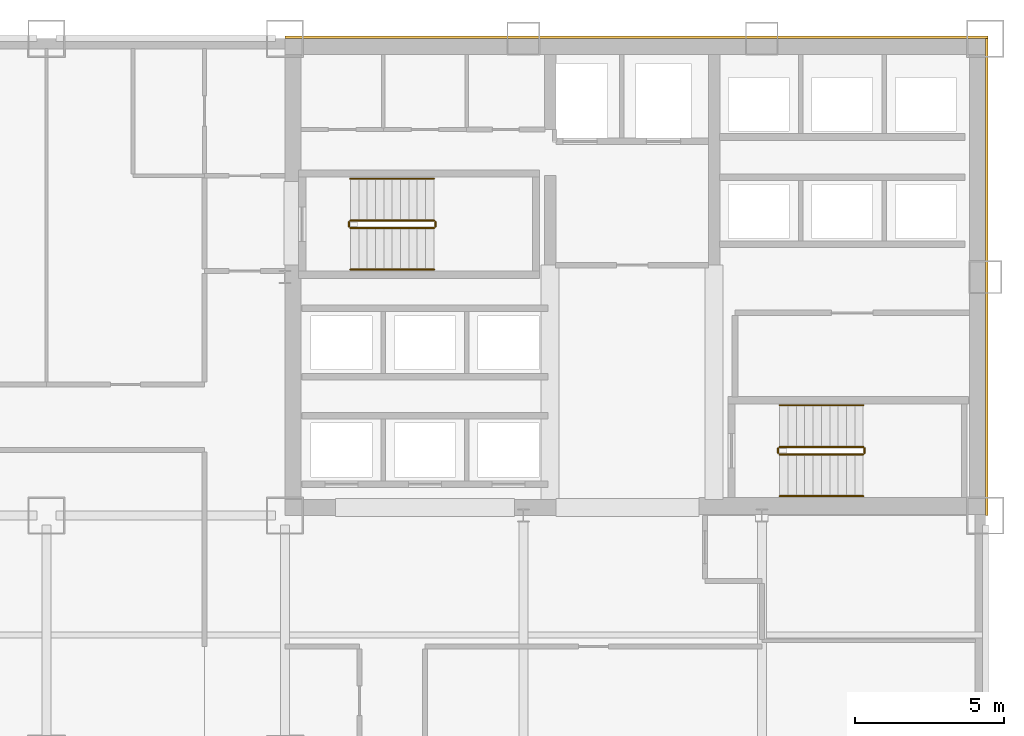
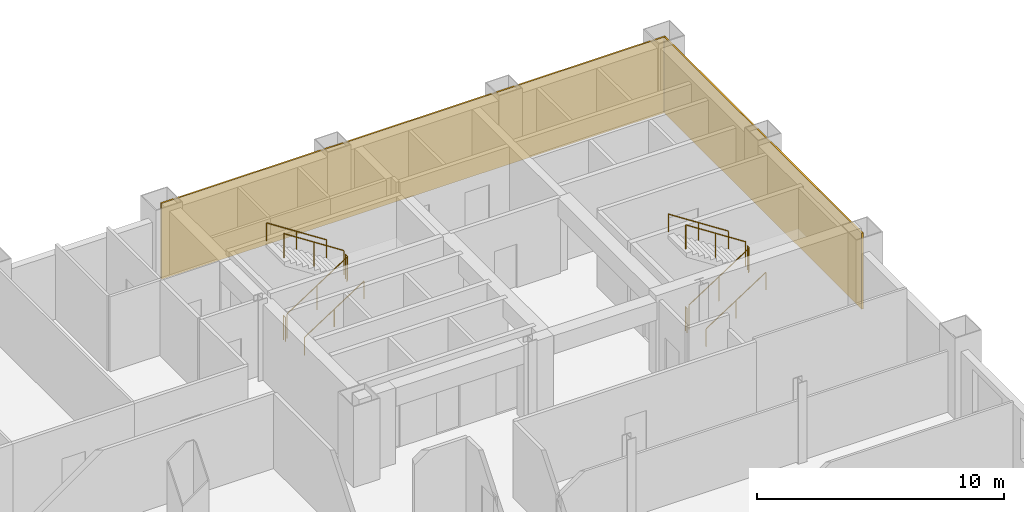
# One storey, part 9 of 9: 12 railings, 2 coverings.
"""IFC4 building model written with IfcOpenShell, lengths in metres."""

from ifc_helpers import new_model, si_unit, direction, frame, origin, origin_2d, place, context, subcontext, project, spatial, rectangle, circle, extrude, material, layer, layer_set, type_object, element, save


model = new_model("IFC4")

# Units and contexts
model_context = context("Model", 3, precision=1e-05, world=origin(), true_north=direction((0.0, 1.0)))
body_context = subcontext(model_context, "Body", "Model", "MODEL_VIEW")
ifc_project = project(units=[si_unit("LENGTHUNIT", "METRE"), si_unit("AREAUNIT", "SQUARE_METRE"), si_unit("VOLUMEUNIT", "CUBIC_METRE"), si_unit("PLANEANGLEUNIT", "RADIAN"), si_unit("MASSUNIT", "GRAM", prefix="KILO")], contexts=[model_context])

# Site, building, storey
site_placement = place(None, origin())
site = spatial("IfcSite", under=ifc_project, at=site_placement, CompositionType="ELEMENT")
building_placement = place(site_placement, origin())
building = spatial("IfcBuilding", under=site, at=building_placement, Name="Qianrong Seaharbour Tower", CompositionType="ELEMENT")
storey_placement = place(building_placement, frame((0.0, 0.0, 40.199951171875)))
storey = spatial("IfcBuildingStorey", under=building, at=storey_placement, Name="L09", CompositionType="ELEMENT", Elevation=40.199951171875)

# Coverings
ifc_material_1 = material(Name="Unitised red brick cladding on Precast concrete C45/55", Category="masonry")
ifc_layer = layer(ifc_material_1, 0.080078125)
ifc_layer_set = layer_set([ifc_layer], Name="Unitised red brick cladding on Precast concrete C45/55")
covering_type = type_object("IfcCoveringType", Name="COV-CLAD-RED-BRICK-80", PredefinedType="CLADDING", material=ifc_layer_set)
covering_1_placement = place(storey_placement, frame((52.2900390625, 52.0400390625, 0.0), z_axis=(0.0, 0.0, 1.0), x_axis=(1.0, 0.0, 0.0)))
element("IfcCovering", 1, at=covering_1_placement, inside=storey, type_object=covering_type, Name="L09 North Core Brick Veneer Cladding", PredefinedType="CLADDING", context=body_context, shape_type="SweptSolid", body=[
    extrude(rectangle(XDim=23.580078125, YDim=0.080078125, at=origin_2d()), origin(), (0.0, 0.0, 1.0), 3.75),
])
covering_2_placement = place(storey_placement, frame((64.0400390625, 44.0, 0.0), z_axis=(0.0, 0.0, 1.0), x_axis=(1.0, 0.0, 0.0)))
element("IfcCovering", 2, at=covering_2_placement, inside=storey, type_object=covering_type, Name="L09 East Core Brick Veneer Cladding", PredefinedType="CLADDING", context=body_context, shape_type="SweptSolid", body=[
    extrude(rectangle(XDim=0.080078125, YDim=16.0, at=origin_2d()), origin(), (0.0, 0.0, 1.0), 3.75),
])

# Railings
ifc_material_2 = material(Name="Galvanized painted steel SN400B stair guard", Category="steel")
railing_type_1 = type_object("IfcRailingType", Name="RAIL-STAIR-GUARD-1220", PredefinedType="GUARDRAIL", material=ifc_material_2)
railing_1_placement = place(storey_placement, frame((42.699951171875, 45.64990234375, 0.181884765625)))
element("IfcRailing", 3, at=railing_1_placement, inside=storey, type_object=railing_type_1, Name="L09 ST-1 stair guard 1", PredefinedType="GUARDRAIL", context=body_context, shape_type="SweptSolid", body=[
    extrude(circle(Radius=0.02392578125, at=origin_2d()), frame((0.0, 0.0, 1.19580078125), z_axis=(0.838705829183, 0.0, 0.544584733623), x_axis=(0.0, 1.0, 0.0)), (0.0, 0.0, 1.0), 3.338623046875),
    extrude(circle(Radius=0.02099609375, at=origin_2d()), origin(), (0.0, 0.0, 1.0), 1.171875),
    extrude(circle(Radius=0.02099609375, at=origin_2d()), frame((1.39990234375, 0.0, 0.9091796875)), (0.0, 0.0, 1.0), 1.171875),
    extrude(circle(Radius=0.02099609375, at=origin_2d()), frame((2.800048828125, 0.0, 1.818115234375)), (0.0, 0.0, 1.0), 1.171875),
])
railing_2_placement = place(storey_placement, frame((45.550048828125, 45.699951171875, 2.0)))
element("IfcRailing", 4, at=railing_2_placement, inside=storey, type_object=railing_type_1, Name="L09 ST-1 stair guard 2", PredefinedType="GUARDRAIL", context=body_context, shape_type="SweptSolid", body=[
    extrude(circle(Radius=0.02392578125, at=origin_2d()), frame((0.0, 0.0, 1.19580078125), z_axis=(0.0, 1.0, 0.0), x_axis=(-1.0, 0.0, 0.0)), (0.0, 0.0, 1.0), 0.150146484375),
    extrude(circle(Radius=0.02099609375, at=origin_2d()), origin(), (0.0, 0.0, 1.0), 1.171875),
    extrude(circle(Radius=0.02099609375, at=origin_2d()), frame((0.0, 0.150146484375, 0.0)), (0.0, 0.0, 1.0), 1.171875),
])
railing_3_placement = place(storey_placement, frame((45.5, 45.89990234375, 2.181884765625)))
element("IfcRailing", 5, at=railing_3_placement, inside=storey, type_object=railing_type_1, Name="L09 ST-1 stair guard 3", PredefinedType="GUARDRAIL", context=body_context, shape_type="SweptSolid", body=[
    extrude(circle(Radius=0.02392578125, at=origin_2d()), frame((0.0, 0.0, 1.19580078125), z_axis=(-0.838705829183, 0.0, 0.544584733623), x_axis=(0.0, -1.0, 0.0)), (0.0, 0.0, 1.0), 3.338623046875),
    extrude(circle(Radius=0.02099609375, at=origin_2d()), origin(), (0.0, 0.0, 1.0), 1.171875),
    extrude(circle(Radius=0.02099609375, at=origin_2d()), frame((-1.39990234375, 0.0, 0.9091796875)), (0.0, 0.0, 1.0), 1.171875),
    extrude(circle(Radius=0.02099609375, at=origin_2d()), frame((-2.800048828125, 0.0, 1.818115234375)), (0.0, 0.0, 1.0), 1.171875),
])
railing_4_placement = place(storey_placement, frame((42.64990234375, 45.699951171875, 0.0)))
element("IfcRailing", 6, at=railing_4_placement, inside=storey, type_object=railing_type_1, Name="L09 ST-1 stair guard 4", PredefinedType="GUARDRAIL", context=body_context, shape_type="SweptSolid", body=[
    extrude(circle(Radius=0.02392578125, at=origin_2d()), frame((0.0, 0.0, 1.19580078125), z_axis=(0.0, 1.0, 0.0), x_axis=(-1.0, 0.0, 0.0)), (0.0, 0.0, 1.0), 0.150146484375),
    extrude(circle(Radius=0.02099609375, at=origin_2d()), origin(), (0.0, 0.0, 1.0), 1.171875),
    extrude(circle(Radius=0.02099609375, at=origin_2d()), frame((0.0, 0.150146484375, 0.0)), (0.0, 0.0, 1.0), 1.171875),
])
railing_5_placement = place(storey_placement, frame((57.10009765625, 38.050048828125, 0.181884765625)))
element("IfcRailing", 7, at=railing_5_placement, inside=storey, type_object=railing_type_1, Name="L09 ST-2 stair guard 1", PredefinedType="GUARDRAIL", context=body_context, shape_type="SweptSolid", body=[
    extrude(circle(Radius=0.02392578125, at=origin_2d()), frame((0.0, 0.0, 1.19580078125), z_axis=(0.83868413941, 0.0, 0.544618136222), x_axis=(0.0, 1.0, 0.0)), (0.0, 0.0, 1.0), 3.33837890625),
    extrude(circle(Radius=0.02099609375, at=origin_2d()), origin(), (0.0, 0.0, 1.0), 1.171875),
    extrude(circle(Radius=0.02099609375, at=origin_2d()), frame((1.39990234375, 0.0, 0.9091796875)), (0.0, 0.0, 1.0), 1.171875),
    extrude(circle(Radius=0.02099609375, at=origin_2d()), frame((2.7998046875, 0.0, 1.818115234375)), (0.0, 0.0, 1.0), 1.171875),
])
railing_6_placement = place(storey_placement, frame((59.949951171875, 38.10009765625, 2.0)))
element("IfcRailing", 8, at=railing_6_placement, inside=storey, type_object=railing_type_1, Name="L09 ST-2 stair guard 2", PredefinedType="GUARDRAIL", context=body_context, shape_type="SweptSolid", body=[
    extrude(circle(Radius=0.02392578125, at=origin_2d()), frame((0.0, 0.0, 1.19580078125), z_axis=(0.0, 1.0, 0.0), x_axis=(-1.0, 0.0, 0.0)), (0.0, 0.0, 1.0), 0.14990234375),
    extrude(circle(Radius=0.02099609375, at=origin_2d()), origin(), (0.0, 0.0, 1.0), 1.171875),
    extrude(circle(Radius=0.02099609375, at=origin_2d()), frame((0.0, 0.14990234375, 0.0)), (0.0, 0.0, 1.0), 1.171875),
])
railing_7_placement = place(storey_placement, frame((59.89990234375, 38.300048828125, 2.181884765625)))
element("IfcRailing", 9, at=railing_7_placement, inside=storey, type_object=railing_type_1, Name="L09 ST-2 stair guard 3", PredefinedType="GUARDRAIL", context=body_context, shape_type="SweptSolid", body=[
    extrude(circle(Radius=0.02392578125, at=origin_2d()), frame((0.0, 0.0, 1.19580078125), z_axis=(-0.83868413941, 0.0, 0.544618136222), x_axis=(0.0, -1.0, 0.0)), (0.0, 0.0, 1.0), 3.33837890625),
    extrude(circle(Radius=0.02099609375, at=origin_2d()), origin(), (0.0, 0.0, 1.0), 1.171875),
    extrude(circle(Radius=0.02099609375, at=origin_2d()), frame((-1.39990234375, 0.0, 0.9091796875)), (0.0, 0.0, 1.0), 1.171875),
    extrude(circle(Radius=0.02099609375, at=origin_2d()), frame((-2.7998046875, 0.0, 1.818115234375)), (0.0, 0.0, 1.0), 1.171875),
])
railing_8_placement = place(storey_placement, frame((57.050048828125, 38.10009765625, 0.0)))
element("IfcRailing", 10, at=railing_8_placement, inside=storey, type_object=railing_type_1, Name="L09 ST-2 stair guard 4", PredefinedType="GUARDRAIL", context=body_context, shape_type="SweptSolid", body=[
    extrude(circle(Radius=0.02392578125, at=origin_2d()), frame((0.0, 0.0, 1.19580078125), z_axis=(0.0, 1.0, 0.0), x_axis=(-1.0, 0.0, 0.0)), (0.0, 0.0, 1.0), 0.14990234375),
    extrude(circle(Radius=0.02099609375, at=origin_2d()), origin(), (0.0, 0.0, 1.0), 1.171875),
    extrude(circle(Radius=0.02099609375, at=origin_2d()), frame((0.0, 0.14990234375, 0.0)), (0.0, 0.0, 1.0), 1.171875),
])
ifc_material_3 = material(Name="Stainless steel SUS316L continuous handrail", Category="steel")
railing_type_2 = type_object("IfcRailingType", Name="RAIL-STAIR-HANDRAIL-900", PredefinedType="HANDRAIL", material=ifc_material_3)
railing_9_placement = place(storey_placement, frame((42.699951171875, 44.25, 0.181884765625)))
element("IfcRailing", 11, at=railing_9_placement, inside=storey, type_object=railing_type_2, Name="L09 ST-1 stair handrail 1", PredefinedType="HANDRAIL", context=body_context, shape_type="SweptSolid", body=[
    extrude(circle(Radius=0.02392578125, at=origin_2d()), frame((0.0, 0.0, 0.8759765625), z_axis=(0.838705829183, 0.0, 0.544584733623), x_axis=(0.0, 1.0, 0.0)), (0.0, 0.0, 1.0), 3.338623046875),
    extrude(circle(Radius=0.02099609375, at=origin_2d()), origin(), (0.0, 0.0, 1.0), 0.851806640625),
    extrude(circle(Radius=0.02099609375, at=origin_2d()), frame((1.39990234375, 0.0, 0.9091796875)), (0.0, 0.0, 1.0), 0.851806640625),
    extrude(circle(Radius=0.02099609375, at=origin_2d()), frame((2.800048828125, 0.0, 1.818115234375)), (0.0, 0.0, 1.0), 0.851806640625),
])
railing_10_placement = place(storey_placement, frame((45.5, 47.300048828125, 2.181884765625)))
element("IfcRailing", 12, at=railing_10_placement, inside=storey, type_object=railing_type_2, Name="L09 ST-1 stair handrail 2", PredefinedType="HANDRAIL", context=body_context, shape_type="SweptSolid", body=[
    extrude(circle(Radius=0.02392578125, at=origin_2d()), frame((0.0, 0.0, 0.8759765625), z_axis=(-0.838705829183, 0.0, 0.544584733623), x_axis=(0.0, -1.0, 0.0)), (0.0, 0.0, 1.0), 3.338623046875),
    extrude(circle(Radius=0.02099609375, at=origin_2d()), origin(), (0.0, 0.0, 1.0), 0.851806640625),
    extrude(circle(Radius=0.02099609375, at=origin_2d()), frame((-1.39990234375, 0.0, 0.9091796875)), (0.0, 0.0, 1.0), 0.851806640625),
    extrude(circle(Radius=0.02099609375, at=origin_2d()), frame((-2.800048828125, 0.0, 1.818115234375)), (0.0, 0.0, 1.0), 0.851806640625),
])
railing_11_placement = place(storey_placement, frame((57.10009765625, 36.64990234375, 0.181884765625)))
element("IfcRailing", 13, at=railing_11_placement, inside=storey, type_object=railing_type_2, Name="L09 ST-2 stair handrail 1", PredefinedType="HANDRAIL", context=body_context, shape_type="SweptSolid", body=[
    extrude(circle(Radius=0.02392578125, at=origin_2d()), frame((0.0, 0.0, 0.8759765625), z_axis=(0.83868413941, 0.0, 0.544618136222), x_axis=(0.0, 1.0, 0.0)), (0.0, 0.0, 1.0), 3.33837890625),
    extrude(circle(Radius=0.02099609375, at=origin_2d()), origin(), (0.0, 0.0, 1.0), 0.851806640625),
    extrude(circle(Radius=0.02099609375, at=origin_2d()), frame((1.39990234375, 0.0, 0.9091796875)), (0.0, 0.0, 1.0), 0.851806640625),
    extrude(circle(Radius=0.02099609375, at=origin_2d()), frame((2.7998046875, 0.0, 1.818115234375)), (0.0, 0.0, 1.0), 0.851806640625),
])
railing_12_placement = place(storey_placement, frame((59.89990234375, 39.699951171875, 2.181884765625)))
element("IfcRailing", 14, at=railing_12_placement, inside=storey, type_object=railing_type_2, Name="L09 ST-2 stair handrail 2", PredefinedType="HANDRAIL", context=body_context, shape_type="SweptSolid", body=[
    extrude(circle(Radius=0.02392578125, at=origin_2d()), frame((0.0, 0.0, 0.8759765625), z_axis=(-0.83868413941, 0.0, 0.544618136222), x_axis=(0.0, -1.0, 0.0)), (0.0, 0.0, 1.0), 3.33837890625),
    extrude(circle(Radius=0.02099609375, at=origin_2d()), origin(), (0.0, 0.0, 1.0), 0.851806640625),
    extrude(circle(Radius=0.02099609375, at=origin_2d()), frame((-1.39990234375, 0.0, 0.9091796875)), (0.0, 0.0, 1.0), 0.851806640625),
    extrude(circle(Radius=0.02099609375, at=origin_2d()), frame((-2.7998046875, 0.0, 1.818115234375)), (0.0, 0.0, 1.0), 0.851806640625),
])

save(model, "model.ifc")
